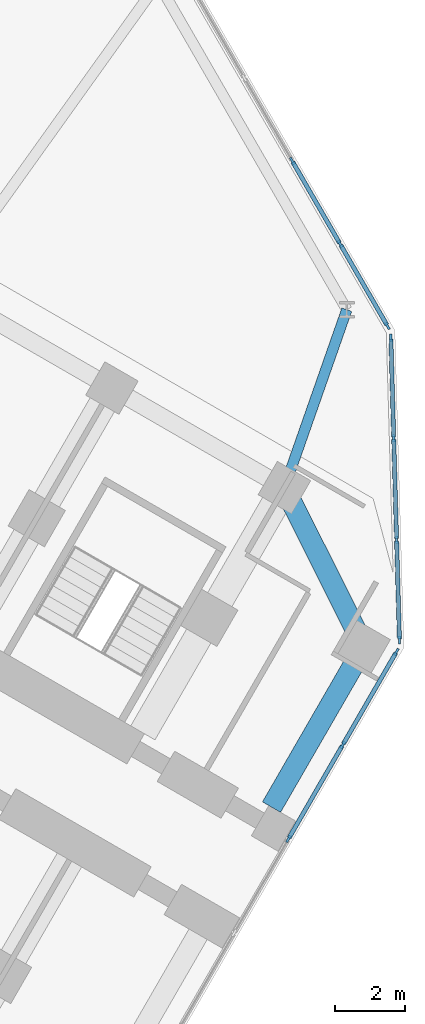
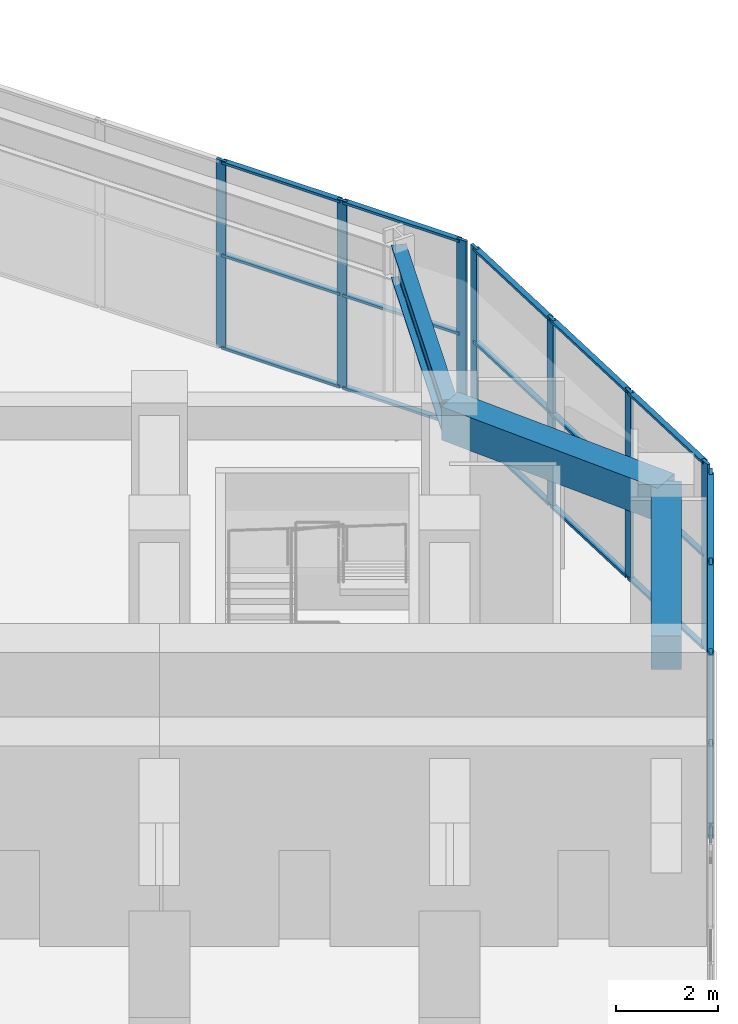
# One storey, part 11 of 21: 31 members, 3 beams, 3 elements without a shape of their own.
"""IFC4 building model written with IfcOpenShell, lengths in metres."""

from ifc_helpers import new_model, si_unit, direction, frame, origin, origin_2d, place, context, subcontext, project, spatial, rectangle, i_section, extrude, material, material_profile, profile_set, type_object, element, aggregate, save


model = new_model("IFC4")

# Units and contexts
model_context = context("Model", 3, precision=1e-05, world=origin(), true_north=direction((0.0, 1.0)))
body_context = subcontext(model_context, "Body", "Model", "MODEL_VIEW")
ifc_project = project(units=[si_unit("LENGTHUNIT", "METRE"), si_unit("AREAUNIT", "SQUARE_METRE"), si_unit("VOLUMEUNIT", "CUBIC_METRE"), si_unit("PLANEANGLEUNIT", "RADIAN"), si_unit("MASSUNIT", "GRAM", prefix="KILO")], contexts=[model_context])

# Site, building, storey
site_placement = place(None, origin())
site = spatial("IfcSite", under=ifc_project, at=site_placement, CompositionType="ELEMENT")
building_placement = place(site_placement, origin())
building = spatial("IfcBuilding", under=site, at=building_placement, Name="Kosmar Iwan School Tower", CompositionType="ELEMENT")
storey_placement = place(building_placement, frame((0.0, 0.0, 6.0)))
storey = spatial("IfcBuildingStorey", under=building, at=storey_placement, Name="L01", CompositionType="ELEMENT", Elevation=6.0)

# Beam
ifc_material_1 = material(Name="Steel S355", Category="steel")
ifc_material_profile_1 = material_profile(ifc_material_1, i_section(OverallWidth=0.300048828125, OverallDepth=0.800048828125, WebThickness=0.017578125, FlangeThickness=0.032958984375, FilletRadius=0.030029296875, at=origin_2d()), Name="HE 800 B")
ifc_profile_set_1 = profile_set([ifc_material_profile_1], Name="Steel S355")
beam_type_1 = type_object("IfcBeamType", Name="Infill edge beam HE 800 B", PredefinedType="BEAM", material=ifc_profile_set_1)
beam_1_placement = place(storey_placement, frame((32.30224609375, -0.749267578125, 4.10009765625), z_axis=(-0.330701081571, -0.943735553345, 0.0), x_axis=(0.943735553345, -0.330701081571, 0.0)))
element("IfcBeam", 1, at=beam_1_placement, inside=storey, type_object=beam_type_1, Name="Infill edge beam AC5", PredefinedType="BEAM", context=body_context, shape_type="SweptSolid", body=[
    extrude(i_section(OverallWidth=0.300048828125, OverallDepth=0.800048828125, WebThickness=0.017578125, FlangeThickness=0.032958984375, FilletRadius=0.030029296875, at=origin_2d()), origin(), (0.0, 0.0, 1.0), 5.39599609375),
])

# Curtain wall, members
ifc_material_2 = material(Name="Dark glass in black aluminium frame", Category="aluminium")
curtain_wall_type_1 = type_object("IfcCurtainWallType", Name="Tower curtain wall dark glass", PredefinedType="USERDEFINED", material=ifc_material_2)
curtain_wall_1_placement = place(storey_placement, origin())
curtain_wall_1 = element("IfcCurtainWall", 2, at=curtain_wall_1_placement, inside=storey, type_object=curtain_wall_type_1, Name="Curtain wall L01-F02", ObjectType="UNITISED CURTAIN WALL", PredefinedType="USERDEFINED")
ifc_material_3 = material(Name="Black anodised aluminium", Category="aluminium")
ifc_material_profile_2 = material_profile(ifc_material_3, rectangle(XDim=0.06494140625, YDim=0.219970703125, at=origin_2d()), Name="MULLION 65x220")
ifc_profile_set_2 = profile_set([ifc_material_profile_2], Name="Black anodised aluminium")
member_type_1 = type_object("IfcMemberType", Name="Podium mullion 65x220", PredefinedType="MULLION", material=ifc_profile_set_2)
member_1_placement = place(storey_placement, frame((30.632568359375, -15.892578125, 0.0), z_axis=(0.0, 0.0, 1.0), x_axis=(-0.866025395669, 0.500000014057, 0.0)))
member_1 = element("IfcMember", 3, at=member_1_placement, type_object=member_type_1, Name="CW1 mullion 4", PredefinedType="MULLION", context=body_context, shape_type="SweptSolid", body=[
    extrude(rectangle(XDim=0.06494140625, YDim=0.219970703125, at=origin_2d()), origin(), (0.0, 0.0, 1.0), 4.5),
])
member_2_placement = place(storey_placement, frame((32.185546875, -13.202880859375, 0.0), z_axis=(0.0, 0.0, 1.0), x_axis=(-0.866025395669, 0.500000014057, 0.0)))
member_2 = element("IfcMember", 4, at=member_2_placement, type_object=member_type_1, Name="CW1 mullion 5", PredefinedType="MULLION", context=body_context, shape_type="SweptSolid", body=[
    extrude(rectangle(XDim=0.06494140625, YDim=0.219970703125, at=origin_2d()), origin(), (0.0, 0.0, 1.0), 4.5),
])
member_3_placement = place(storey_placement, frame((33.72216796875, -10.541259765625, 0.0), z_axis=(0.0, 0.0, 1.0), x_axis=(-0.866025395669, 0.500000014057, 0.0)))
member_3 = element("IfcMember", 5, at=member_3_placement, type_object=member_type_1, Name="CW1 mullion 6", PredefinedType="MULLION", context=body_context, shape_type="SweptSolid", body=[
    extrude(rectangle(XDim=0.06494140625, YDim=0.219970703125, at=origin_2d()), origin(), (0.0, 0.0, 1.0), 4.5),
])

ifc_material_4 = material(Name="Dark glass in black aluminium frame", Category="aluminium")
curtain_wall_type_2 = type_object("IfcCurtainWallType", Name="Podium curtain wall", PredefinedType="USERDEFINED", material=ifc_material_4)
curtain_wall_2_placement = place(storey_placement, origin())
curtain_wall_2 = element("IfcCurtainWall", 6, at=curtain_wall_2_placement, inside=storey, type_object=curtain_wall_type_2, Name="Curtain wall L01-F03", ObjectType="STICK CURTAIN WALL", PredefinedType="USERDEFINED")
member_4_placement = place(storey_placement, frame((33.808349609375, -10.200927734375, 0.0), z_axis=(0.0, 0.0, 1.0), x_axis=(-0.999597032017, -0.028386151255, 0.0)))
member_4 = element("IfcMember", 7, at=member_4_placement, type_object=member_type_1, Name="CW3 mullion 1", PredefinedType="MULLION", context=body_context, shape_type="SweptSolid", body=[
    extrude(rectangle(XDim=0.06494140625, YDim=0.219970703125, at=origin_2d()), origin(), (0.0, 0.0, 1.0), 4.5),
])
member_5_placement = place(storey_placement, frame((33.726806640625, -7.330078125, 0.0), z_axis=(0.0, 0.0, 1.0), x_axis=(-0.999597032017, -0.028386151255, 0.0)))
member_5 = element("IfcMember", 8, at=member_5_placement, type_object=member_type_1, Name="CW3 mullion 2", PredefinedType="MULLION", context=body_context, shape_type="SweptSolid", body=[
    extrude(rectangle(XDim=0.06494140625, YDim=0.219970703125, at=origin_2d()), origin(), (0.0, 0.0, 1.0), 4.5),
])
member_6_placement = place(storey_placement, frame((33.644287109375, -4.4267578125, 0.0), z_axis=(0.0, 0.0, 1.0), x_axis=(-0.999597032017, -0.028386151255, 0.0)))
member_6 = element("IfcMember", 9, at=member_6_placement, type_object=member_type_1, Name="CW3 mullion 3", PredefinedType="MULLION", context=body_context, shape_type="SweptSolid", body=[
    extrude(rectangle(XDim=0.06494140625, YDim=0.219970703125, at=origin_2d()), origin(), (0.0, 0.0, 1.0), 4.5),
])
member_7_placement = place(storey_placement, frame((33.562744140625, -1.555908203125, 0.0), z_axis=(0.0, 0.0, 1.0), x_axis=(-0.999597032017, -0.028386151255, 0.0)))
member_7 = element("IfcMember", 10, at=member_7_placement, type_object=member_type_1, Name="CW3 mullion 4", PredefinedType="MULLION", context=body_context, shape_type="SweptSolid", body=[
    extrude(rectangle(XDim=0.06494140625, YDim=0.219970703125, at=origin_2d()), origin(), (0.0, 0.0, 1.0), 4.5),
])

curtain_wall_3_placement = place(storey_placement, origin())
curtain_wall_3 = element("IfcCurtainWall", 11, at=curtain_wall_3_placement, inside=storey, type_object=curtain_wall_type_2, Name="Curtain wall L01-F04", ObjectType="STICK CURTAIN WALL", PredefinedType="USERDEFINED")
member_8_placement = place(storey_placement, frame((33.46630859375, -1.215576171875, 0.0), z_axis=(0.0, 0.0, 1.0), x_axis=(-0.866025390869, -0.50000002237, 0.0)))
member_8 = element("IfcMember", 12, at=member_8_placement, type_object=member_type_1, Name="CW3 mullion 1", PredefinedType="MULLION", context=body_context, shape_type="SweptSolid", body=[
    extrude(rectangle(XDim=0.06494140625, YDim=0.219970703125, at=origin_2d()), origin(), (0.0, 0.0, 1.0), 4.5),
])
member_9_placement = place(storey_placement, frame((32.112060546875, 1.13037109375, 0.0), z_axis=(0.0, 0.0, 1.0), x_axis=(-0.866025390869, -0.50000002237, 0.0)))
member_9 = element("IfcMember", 13, at=member_9_placement, type_object=member_type_1, Name="CW3 mullion 2", PredefinedType="MULLION", context=body_context, shape_type="SweptSolid", body=[
    extrude(rectangle(XDim=0.06494140625, YDim=0.219970703125, at=origin_2d()), origin(), (0.0, 0.0, 1.0), 4.5),
])
member_10_placement = place(storey_placement, frame((30.741455078125, 3.50439453125, 0.0), z_axis=(0.0, 0.0, 1.0), x_axis=(-0.866025390869, -0.50000002237, 0.0)))
member_10 = element("IfcMember", 14, at=member_10_placement, type_object=member_type_1, Name="CW3 mullion 3", PredefinedType="MULLION", context=body_context, shape_type="SweptSolid", body=[
    extrude(rectangle(XDim=0.06494140625, YDim=0.219970703125, at=origin_2d()), origin(), (0.0, 0.0, 1.0), 4.5),
])

# Beams
ifc_material_5 = material(Name="Concrete C50/60", Category="concrete")
ifc_material_profile_3 = material_profile(ifc_material_5, rectangle(XDim=0.60009765625, YDim=0.800048828125, at=origin_2d()), Name="RC 600x800")
ifc_profile_set_3 = profile_set([ifc_material_profile_3], Name="Concrete C50/60")
beam_type_2 = type_object("IfcBeamType", Name="RC tip beam 600x800", PredefinedType="BEAM", material=ifc_profile_set_3)
beam_2_placement = place(storey_placement, frame((30.517822265625, -5.841552734375, 4.10009765625), z_axis=(0.44809604203, -0.893985423325, 0.0), x_axis=(0.893985423325, 0.44809604203, 0.0)))
element("IfcBeam", 15, at=beam_2_placement, inside=storey, type_object=beam_type_2, Name="Tip beam CL", PredefinedType="BEAM", context=body_context, shape_type="SweptSolid", body=[
    extrude(rectangle(XDim=0.60009765625, YDim=0.800048828125, at=origin_2d()), origin(), (0.0, 0.0, 1.0), 5.08935546875),
])
beam_3_placement = place(storey_placement, frame((32.79833984375, -10.391357421875, 4.10009765625), z_axis=(-0.499973660256, -0.866040610509, 0.0), x_axis=(0.866040610509, -0.499973660256, 0.0)))
element("IfcBeam", 16, at=beam_3_placement, inside=storey, type_object=beam_type_2, Name="Tip beam CL to corridor wall", PredefinedType="BEAM", context=body_context, shape_type="SweptSolid", body=[
    extrude(rectangle(XDim=0.60009765625, YDim=0.800048828125, at=origin_2d()), origin(), (0.0, 0.0, 1.0), 5.300048828125),
])

# Member
ifc_material_6 = material(Name="Black anodised aluminium", Category="aluminium")
ifc_material_profile_4 = material_profile(ifc_material_6, rectangle(XDim=0.1201171875, YDim=0.06005859375, at=origin_2d()), Name="TRANSOM 60x120")
ifc_profile_set_4 = profile_set([ifc_material_profile_4], Name="Black anodised aluminium")
member_type_2 = type_object("IfcMemberType", Name="Transom 60x120", PredefinedType="USERDEFINED", material=ifc_profile_set_4)
member_11_placement = place(storey_placement, frame((30.64892578125, -15.864501953125, 0.030029296875), z_axis=(0.50000738486, 0.866021140091, 0.0), x_axis=(-0.866021140091, 0.50000738486, 0.0)))
member_11 = element("IfcMember", 17, at=member_11_placement, type_object=member_type_2, Name="CW1 transom 4.1", ObjectType="TRANSOM", PredefinedType="USERDEFINED", context=body_context, shape_type="SweptSolid", body=[
    extrude(rectangle(XDim=0.1201171875, YDim=0.06005859375, at=origin_2d()), origin(), (0.0, 0.0, 1.0), 3.041015625),
])

member_12_placement = place(storey_placement, frame((30.64892578125, -15.864501953125, 2.25), z_axis=(0.50000738486, 0.866021140091, 0.0), x_axis=(-0.866021140091, 0.50000738486, 0.0)))
member_12 = element("IfcMember", 18, at=member_12_placement, type_object=member_type_2, Name="CW1 transom 4.2", ObjectType="TRANSOM", PredefinedType="USERDEFINED", context=body_context, shape_type="SweptSolid", body=[
    extrude(rectangle(XDim=0.1201171875, YDim=0.06005859375, at=origin_2d()), origin(), (0.0, 0.0, 1.0), 3.041015625),
])

member_13_placement = place(storey_placement, frame((30.64892578125, -15.864501953125, 4.469970703125), z_axis=(0.50000738486, 0.866021140091, 0.0), x_axis=(-0.866021140091, 0.50000738486, 0.0)))
member_13 = element("IfcMember", 19, at=member_13_placement, type_object=member_type_2, Name="CW1 transom 4.3", ObjectType="TRANSOM", PredefinedType="USERDEFINED", context=body_context, shape_type="SweptSolid", body=[
    extrude(rectangle(XDim=0.1201171875, YDim=0.06005859375, at=origin_2d()), origin(), (0.0, 0.0, 1.0), 3.041015625),
])

member_14_placement = place(storey_placement, frame((32.201904296875, -13.1748046875, 0.030029296875), z_axis=(0.499970659234, 0.866042343021, 0.0), x_axis=(-0.866042343021, 0.499970659234, 0.0)))
member_14 = element("IfcMember", 20, at=member_14_placement, type_object=member_type_2, Name="CW1 transom 5.1", ObjectType="TRANSOM", PredefinedType="USERDEFINED", context=body_context, shape_type="SweptSolid", body=[
    extrude(rectangle(XDim=0.1201171875, YDim=0.06005859375, at=origin_2d()), origin(), (0.0, 0.0, 1.0), 3.008544921875),
])

member_15_placement = place(storey_placement, frame((32.201904296875, -13.1748046875, 2.25), z_axis=(0.499970659234, 0.866042343021, 0.0), x_axis=(-0.866042343021, 0.499970659234, 0.0)))
member_15 = element("IfcMember", 21, at=member_15_placement, type_object=member_type_2, Name="CW1 transom 5.2", ObjectType="TRANSOM", PredefinedType="USERDEFINED", context=body_context, shape_type="SweptSolid", body=[
    extrude(rectangle(XDim=0.1201171875, YDim=0.06005859375, at=origin_2d()), origin(), (0.0, 0.0, 1.0), 3.008544921875),
])

member_16_placement = place(storey_placement, frame((32.201904296875, -13.1748046875, 4.469970703125), z_axis=(0.499970659234, 0.866042343021, 0.0), x_axis=(-0.866042343021, 0.499970659234, 0.0)))
member_16 = element("IfcMember", 22, at=member_16_placement, type_object=member_type_2, Name="CW1 transom 5.3", ObjectType="TRANSOM", PredefinedType="USERDEFINED", context=body_context, shape_type="SweptSolid", body=[
    extrude(rectangle(XDim=0.1201171875, YDim=0.06005859375, at=origin_2d()), origin(), (0.0, 0.0, 1.0), 3.008544921875),
])

aggregate(curtain_wall_1, [member_1, member_2, member_3, member_11, member_12, member_13, member_14, member_15, member_16])

member_17_placement = place(storey_placement, frame((33.807373046875, -10.16845703125, 0.030029296875), z_axis=(-0.028353687706, 0.999597953376, 0.0), x_axis=(-0.999597953376, -0.028353687706, 0.0)))
member_17 = element("IfcMember", 23, at=member_17_placement, type_object=member_type_2, Name="CW3 transom 1.1", ObjectType="TRANSOM", PredefinedType="USERDEFINED", context=body_context, shape_type="SweptSolid", body=[
    extrude(rectangle(XDim=0.1201171875, YDim=0.06005859375, at=origin_2d()), origin(), (0.0, 0.0, 1.0), 2.80712890625),
])

member_18_placement = place(storey_placement, frame((33.807373046875, -10.16845703125, 2.25), z_axis=(-0.028353687706, 0.999597953376, 0.0), x_axis=(-0.999597953376, -0.028353687706, 0.0)))
member_18 = element("IfcMember", 24, at=member_18_placement, type_object=member_type_2, Name="CW3 transom 1.2", ObjectType="TRANSOM", PredefinedType="USERDEFINED", context=body_context, shape_type="SweptSolid", body=[
    extrude(rectangle(XDim=0.1201171875, YDim=0.06005859375, at=origin_2d()), origin(), (0.0, 0.0, 1.0), 2.80712890625),
])

member_19_placement = place(storey_placement, frame((33.807373046875, -10.16845703125, 4.469970703125), z_axis=(-0.028353687706, 0.999597953376, 0.0), x_axis=(-0.999597953376, -0.028353687706, 0.0)))
member_19 = element("IfcMember", 25, at=member_19_placement, type_object=member_type_2, Name="CW3 transom 1.3", ObjectType="TRANSOM", PredefinedType="USERDEFINED", context=body_context, shape_type="SweptSolid", body=[
    extrude(rectangle(XDim=0.1201171875, YDim=0.06005859375, at=origin_2d()), origin(), (0.0, 0.0, 1.0), 2.80712890625),
])

member_20_placement = place(storey_placement, frame((33.725830078125, -7.297607421875, 0.030029296875), z_axis=(-0.028373227391, 0.99959739894, 0.0), x_axis=(-0.99959739894, -0.028373227391, 0.0)))
member_20 = element("IfcMember", 26, at=member_20_placement, type_object=member_type_2, Name="CW3 transom 2.1", ObjectType="TRANSOM", PredefinedType="USERDEFINED", context=body_context, shape_type="SweptSolid", body=[
    extrude(rectangle(XDim=0.1201171875, YDim=0.06005859375, at=origin_2d()), origin(), (0.0, 0.0, 1.0), 2.839599609375),
])

member_21_placement = place(storey_placement, frame((33.725830078125, -7.297607421875, 2.25), z_axis=(-0.028373227391, 0.99959739894, 0.0), x_axis=(-0.99959739894, -0.028373227391, 0.0)))
member_21 = element("IfcMember", 27, at=member_21_placement, type_object=member_type_2, Name="CW3 transom 2.2", ObjectType="TRANSOM", PredefinedType="USERDEFINED", context=body_context, shape_type="SweptSolid", body=[
    extrude(rectangle(XDim=0.1201171875, YDim=0.06005859375, at=origin_2d()), origin(), (0.0, 0.0, 1.0), 2.839599609375),
])

member_22_placement = place(storey_placement, frame((33.725830078125, -7.297607421875, 4.469970703125), z_axis=(-0.028373227391, 0.99959739894, 0.0), x_axis=(-0.99959739894, -0.028373227391, 0.0)))
member_22 = element("IfcMember", 28, at=member_22_placement, type_object=member_type_2, Name="CW3 transom 2.3", ObjectType="TRANSOM", PredefinedType="USERDEFINED", context=body_context, shape_type="SweptSolid", body=[
    extrude(rectangle(XDim=0.1201171875, YDim=0.06005859375, at=origin_2d()), origin(), (0.0, 0.0, 1.0), 2.839599609375),
])

member_23_placement = place(storey_placement, frame((33.6435546875, -4.394287109375, 0.030029296875), z_axis=(-0.028443064779, 0.999595414188, 0.0), x_axis=(-0.999595414188, -0.028443064779, 0.0)))
member_23 = element("IfcMember", 29, at=member_23_placement, type_object=member_type_2, Name="CW3 transom 3.1", ObjectType="TRANSOM", PredefinedType="USERDEFINED", context=body_context, shape_type="SweptSolid", body=[
    extrude(rectangle(XDim=0.1201171875, YDim=0.06005859375, at=origin_2d()), origin(), (0.0, 0.0, 1.0), 2.806884765625),
])

member_24_placement = place(storey_placement, frame((33.6435546875, -4.394287109375, 2.25), z_axis=(-0.028443064779, 0.999595414188, 0.0), x_axis=(-0.999595414188, -0.028443064779, 0.0)))
member_24 = element("IfcMember", 30, at=member_24_placement, type_object=member_type_2, Name="CW3 transom 3.2", ObjectType="TRANSOM", PredefinedType="USERDEFINED", context=body_context, shape_type="SweptSolid", body=[
    extrude(rectangle(XDim=0.1201171875, YDim=0.06005859375, at=origin_2d()), origin(), (0.0, 0.0, 1.0), 2.806884765625),
])

member_25_placement = place(storey_placement, frame((33.6435546875, -4.394287109375, 4.469970703125), z_axis=(-0.028443064779, 0.999595414188, 0.0), x_axis=(-0.999595414188, -0.028443064779, 0.0)))
member_25 = element("IfcMember", 31, at=member_25_placement, type_object=member_type_2, Name="CW3 transom 3.3", ObjectType="TRANSOM", PredefinedType="USERDEFINED", context=body_context, shape_type="SweptSolid", body=[
    extrude(rectangle(XDim=0.1201171875, YDim=0.06005859375, at=origin_2d()), origin(), (0.0, 0.0, 1.0), 2.806884765625),
])

aggregate(curtain_wall_2, [member_4, member_5, member_6, member_7, member_17, member_18, member_19, member_20, member_21, member_22, member_23, member_24, member_25])

member_26_placement = place(storey_placement, frame((33.4501953125, -1.1875, 0.030029296875), z_axis=(-0.500002203974, 0.866024131316, 0.0), x_axis=(-0.866024131316, -0.500002203974, 0.0)))
member_26 = element("IfcMember", 32, at=member_26_placement, type_object=member_type_2, Name="CW3 transom 1.1", ObjectType="TRANSOM", PredefinedType="USERDEFINED", context=body_context, shape_type="SweptSolid", body=[
    extrude(rectangle(XDim=0.1201171875, YDim=0.06005859375, at=origin_2d()), origin(), (0.0, 0.0, 1.0), 2.64404296875),
])

member_27_placement = place(storey_placement, frame((33.4501953125, -1.1875, 2.25), z_axis=(-0.500002203974, 0.866024131316, 0.0), x_axis=(-0.866024131316, -0.500002203974, 0.0)))
member_27 = element("IfcMember", 33, at=member_27_placement, type_object=member_type_2, Name="CW3 transom 1.2", ObjectType="TRANSOM", PredefinedType="USERDEFINED", context=body_context, shape_type="SweptSolid", body=[
    extrude(rectangle(XDim=0.1201171875, YDim=0.06005859375, at=origin_2d()), origin(), (0.0, 0.0, 1.0), 2.64404296875),
])

member_28_placement = place(storey_placement, frame((33.4501953125, -1.1875, 4.469970703125), z_axis=(-0.500002203974, 0.866024131316, 0.0), x_axis=(-0.866024131316, -0.500002203974, 0.0)))
member_28 = element("IfcMember", 34, at=member_28_placement, type_object=member_type_2, Name="CW3 transom 1.3", ObjectType="TRANSOM", PredefinedType="USERDEFINED", context=body_context, shape_type="SweptSolid", body=[
    extrude(rectangle(XDim=0.1201171875, YDim=0.06005859375, at=origin_2d()), origin(), (0.0, 0.0, 1.0), 2.64404296875),
])

member_29_placement = place(storey_placement, frame((32.095703125, 1.158447265625, 0.030029296875), z_axis=(-0.499975134057, 0.866039759667, 0.0), x_axis=(-0.866039759667, -0.499975134057, 0.0)))
member_29 = element("IfcMember", 35, at=member_29_placement, type_object=member_type_2, Name="CW3 transom 2.1", ObjectType="TRANSOM", PredefinedType="USERDEFINED", context=body_context, shape_type="SweptSolid", body=[
    extrude(rectangle(XDim=0.1201171875, YDim=0.06005859375, at=origin_2d()), origin(), (0.0, 0.0, 1.0), 2.676513671875),
])

member_30_placement = place(storey_placement, frame((32.095703125, 1.158447265625, 2.25), z_axis=(-0.499975134057, 0.866039759667, 0.0), x_axis=(-0.866039759667, -0.499975134057, 0.0)))
member_30 = element("IfcMember", 36, at=member_30_placement, type_object=member_type_2, Name="CW3 transom 2.2", ObjectType="TRANSOM", PredefinedType="USERDEFINED", context=body_context, shape_type="SweptSolid", body=[
    extrude(rectangle(XDim=0.1201171875, YDim=0.06005859375, at=origin_2d()), origin(), (0.0, 0.0, 1.0), 2.676513671875),
])

member_31_placement = place(storey_placement, frame((32.095703125, 1.158447265625, 4.469970703125), z_axis=(-0.499975134057, 0.866039759667, 0.0), x_axis=(-0.866039759667, -0.499975134057, 0.0)))
member_31 = element("IfcMember", 37, at=member_31_placement, type_object=member_type_2, Name="CW3 transom 2.3", ObjectType="TRANSOM", PredefinedType="USERDEFINED", context=body_context, shape_type="SweptSolid", body=[
    extrude(rectangle(XDim=0.1201171875, YDim=0.06005859375, at=origin_2d()), origin(), (0.0, 0.0, 1.0), 2.676513671875),
])

aggregate(curtain_wall_3, [member_8, member_9, member_10, member_26, member_27, member_28, member_29, member_30, member_31])

save(model, "model.ifc")
